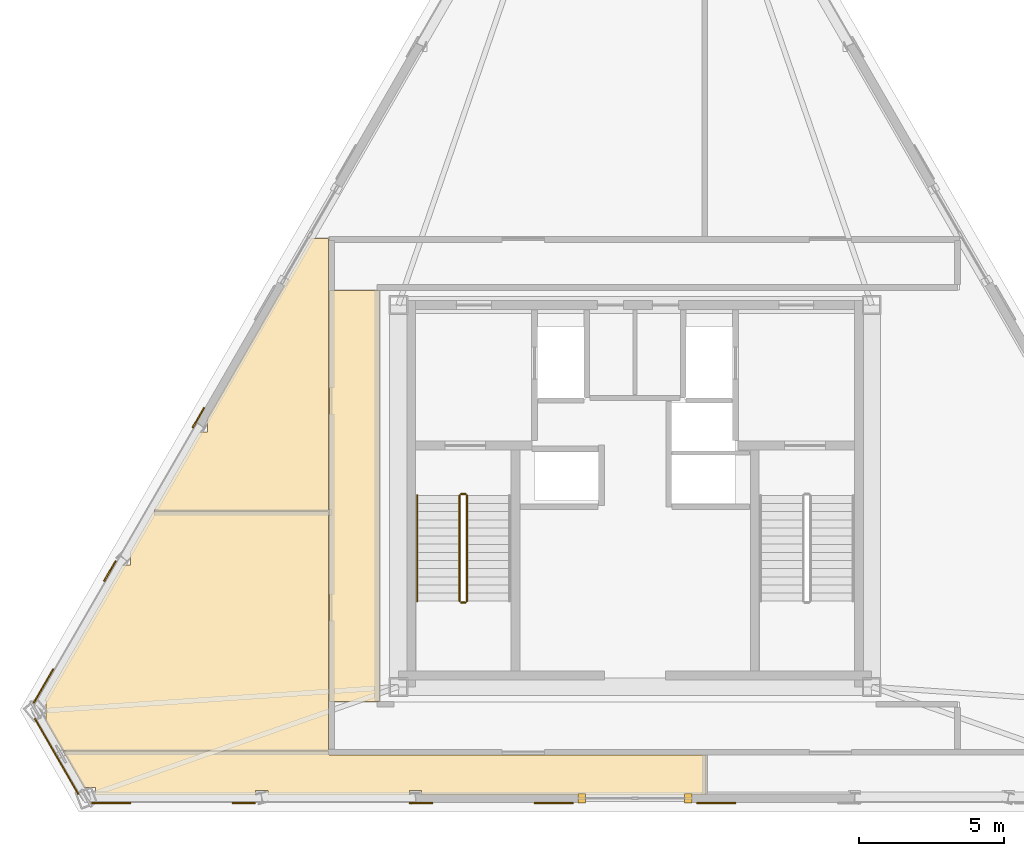
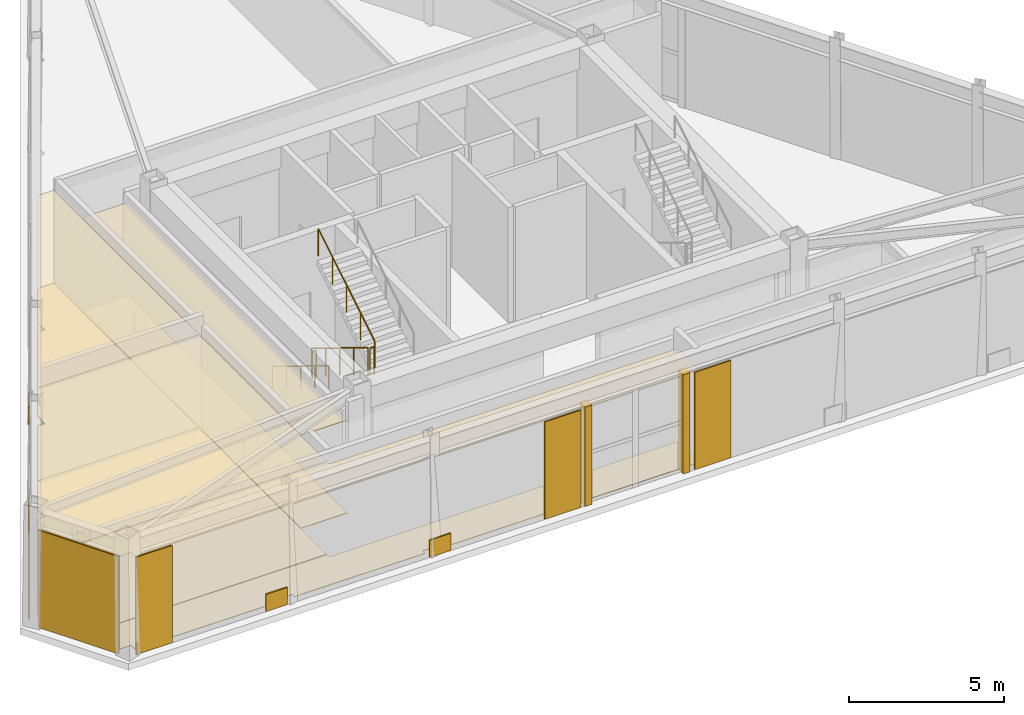
# One storey, part 10 of 12: 19 coverings, 5 railings.
"""IFC4 building model written with IfcOpenShell, lengths in metres."""

from ifc_helpers import new_model, si_unit, direction, frame, origin, origin_2d, place, context, subcontext, project, spatial, polyline, rectangle, circle, outline, extrude, material, layer, layer_set, type_object, element, save


model = new_model("IFC4")

# Units and contexts
model_context = context("Model", 3, precision=1e-05, world=origin(), true_north=direction((0.0, 1.0)))
body_context = subcontext(model_context, "Body", "Model", "MODEL_VIEW")
ifc_project = project(units=[si_unit("LENGTHUNIT", "METRE"), si_unit("AREAUNIT", "SQUARE_METRE"), si_unit("VOLUMEUNIT", "CUBIC_METRE"), si_unit("PLANEANGLEUNIT", "RADIAN"), si_unit("MASSUNIT", "GRAM", prefix="KILO")], contexts=[model_context])

# Site, building, storey
site_placement = place(None, origin())
site = spatial("IfcSite", under=ifc_project, at=site_placement, CompositionType="ELEMENT")
building_placement = place(site_placement, origin())
building = spatial("IfcBuilding", under=site, at=building_placement, Name="Oramaril Tower", CompositionType="ELEMENT")
storey_placement = place(building_placement, frame((0.0, 0.0, 314.10009765625)))
storey = spatial("IfcBuildingStorey", under=building, at=storey_placement, Name="L82", CompositionType="ELEMENT", Elevation=314.10009765625)

# Coverings
ifc_material_1 = material(Name="Mineral Fibre Acoustic Ceiling")
ifc_layer_1 = layer(ifc_material_1, 0.02001953125)
ifc_layer_set_1 = layer_set([ifc_layer_1], Name="CVT-CEIL")
covering_type_1 = type_object("IfcCoveringType", Name="CVT-CEIL", PredefinedType="CEILING", material=ifc_layer_set_1)
covering_1_placement = place(storey_placement, frame((0.0, 0.0, 3.671875)))
element("IfcCovering", 1, at=covering_1_placement, inside=storey, type_object=covering_type_1, Name="L82 Acoustic Suspended Ceiling 3", PredefinedType="CEILING", context=body_context, shape_type="SweptSolid", body=[
    extrude(outline(polyline([(28.699951171875, 10.5), (26.969970703125, 10.5), (26.969970703125, 24.64990234375), (28.699951171875, 24.64990234375), (28.699951171875, 10.5)])), origin(), (0.0, 0.0, 1.0), 0.02001953125),
])
covering_2_placement = place(storey_placement, frame((0.0, 0.0, 3.671875)))
element("IfcCovering", 2, at=covering_2_placement, inside=storey, type_object=covering_type_1, Name="L82 Acoustic Suspended Ceiling 4", PredefinedType="CEILING", context=body_context, shape_type="SweptSolid", body=[
    extrude(outline(polyline([(39.94189453125, 7.272216796875), (30.1494140625, 7.272216796875), (30.1494140625, 7.425537109375), (29.72802734375, 7.425537109375), (29.72802734375, 7.272216796875), (24.859619140625, 7.272216796875), (24.859619140625, 7.425537109375), (24.432373046875, 7.425537109375), (24.432373046875, 7.272216796875), (18.927490234375, 7.272216796875), (18.927490234375, 7.5390625), (18.515625, 7.5390625), (17.792236328125, 8.7919921875), (26.949951171875, 8.7919921875), (26.949951171875, 8.669921875), (26.9501953125, 8.66796875), (26.950439453125, 8.666015625), (26.950927734375, 8.664306640625), (26.951416015625, 8.662353515625), (26.952392578125, 8.66064453125), (26.953369140625, 8.658935546875), (26.95458984375, 8.6572265625), (26.955810546875, 8.656005859375), (26.957275390625, 8.654541015625), (26.958984375, 8.6533203125), (26.960693359375, 8.65234375), (26.96240234375, 8.651611328125), (26.964111328125, 8.65087890625), (26.966064453125, 8.650390625), (26.968017578125, 8.650146484375), (26.969970703125, 8.64990234375), (39.94189453125, 8.64990234375), (39.94189453125, 7.272216796875)])), origin(), (0.0, 0.0, 1.0), 0.02001953125),
])
covering_3_placement = place(storey_placement, frame((0.0, 0.0, 3.671875)))
element("IfcCovering", 3, at=covering_3_placement, inside=storey, type_object=covering_type_1, Name="L82 Acoustic Suspended Ceiling 6", PredefinedType="CEILING", context=body_context, shape_type="SweptSolid", body=[
    extrude(outline(polyline([(17.186767578125, 9.841064453125), (17.2080078125, 9.841064453125), (17.2080078125, 10.5263671875), (17.16064453125, 10.5263671875), (19.856689453125, 15.19580078125), (20.12060546875, 15.19580078125), (20.12060546875, 15.6484375), (20.117919921875, 15.6484375), (20.92236328125, 17.0419921875), (26.949951171875, 17.0419921875), (26.949951171875, 10.5), (26.9501953125, 10.498046875), (26.950439453125, 10.49609375), (26.950927734375, 10.494140625), (26.951416015625, 10.4921875), (26.952392578125, 10.490478515625), (26.95263671875, 10.489990234375), (26.952392578125, 10.489501953125), (26.951416015625, 10.48779296875), (26.950927734375, 10.48583984375), (26.950439453125, 10.48388671875), (26.9501953125, 10.48193359375), (26.949951171875, 10.47998046875), (26.949951171875, 8.81201171875), (17.792236328125, 8.81201171875), (17.790283203125, 8.81201171875), (17.788330078125, 8.8115234375), (17.786376953125, 8.81103515625), (17.78466796875, 8.810302734375), (17.78271484375, 8.8095703125), (17.7822265625, 8.809326171875), (17.186767578125, 9.841064453125)])), origin(), (0.0, 0.0, 1.0), 0.02001953125),
])
covering_4_placement = place(storey_placement, frame((0.0, 0.0, 3.671875)))
element("IfcCovering", 4, at=covering_4_placement, inside=storey, type_object=covering_type_1, Name="L82 Acoustic Suspended Ceiling 7", PredefinedType="CEILING", context=body_context, shape_type="SweptSolid", body=[
    extrude(outline(polyline([(22.50439453125, 19.7822265625), (22.7685546875, 19.7822265625), (22.7685546875, 20.229736328125), (22.7626953125, 20.229736328125), (26.349365234375, 26.44189453125), (26.949951171875, 26.44189453125), (26.949951171875, 24.669921875), (26.9501953125, 24.66796875), (26.950439453125, 24.666015625), (26.950927734375, 24.664306640625), (26.951416015625, 24.662353515625), (26.952392578125, 24.66064453125), (26.95263671875, 24.659912109375), (26.952392578125, 24.659423828125), (26.951416015625, 24.65771484375), (26.950927734375, 24.65576171875), (26.950439453125, 24.65380859375), (26.9501953125, 24.652099609375), (26.949951171875, 24.64990234375), (26.949951171875, 17.06201171875), (20.933837890625, 17.06201171875), (22.50439453125, 19.7822265625)])), origin(), (0.0, 0.0, 1.0), 0.02001953125),
])
ifc_material_2 = material(Name="Warm Cream Limestone", Category="masonry")
ifc_layer_2 = layer(ifc_material_2, 0.050048828125)
ifc_layer_set_2 = layer_set([ifc_layer_2], Name="CVT-CLD")
covering_type_2 = type_object("IfcCoveringType", Name="CVT-CLD", PredefinedType="CLADDING", material=ifc_layer_set_2)
covering_5_placement = place(storey_placement, frame((17.583740234375, 8.601318359375, 0.0400390625), z_axis=(0.0, 0.0, 1.0), x_axis=(0.5, -0.866025403784, 0.0)))
element("IfcCovering", 5, at=covering_5_placement, inside=storey, type_object=covering_type_2, Name="L82 Warm Cream Limestone Cladding", PredefinedType="CLADDING", context=body_context, shape_type="SweptSolid", body=[
    extrude(rectangle(XDim=3.0126953125, YDim=0.050048828125, at=origin_2d()), origin(), (0.0, 0.0, 1.0), 3.837890625),
])
for number, where, z_axis, x_axis, name in (
    (6, (35.669921875, 7.164306640625, 0.0), (0.0, 0.0, 1.0), (1.0, 0.0, 0.0), "L82 Curtain Wall Limestone Jamb Closure"),
    (7, (39.330078125, 7.164306640625, 0.0), (0.0, 0.0, 1.0), (1.0, 0.0, 0.0), "L82 Curtain Wall Limestone Jamb Closure"),
):
    element("IfcCovering", number, at=place(storey_placement, frame(where, z_axis=z_axis, x_axis=x_axis)), inside=storey, type_object=covering_type_2, Name=name, PredefinedType="CLADDING", context=body_context, shape_type="SweptSolid", body=[
        extrude(rectangle(XDim=0.260009765625, YDim=0.340087890625, at=origin_2d()), origin(), (0.0, 0.0, 1.0), 3.91796875),
    ])
for number, where, z_axis, x_axis, name in (
    (8, (19.45751953125, 6.996337890625, 0.0400390625), (0.0, 0.0, 1.0), (1.0, 0.0, 0.0), "L82 Warm Cream Limestone Cladding"),
    (9, (34.699951171875, 6.996337890625, 0.0400390625), (0.0, 0.0, 1.0), (1.0, 0.0, 0.0), "L82 Warm Cream Limestone Cladding"),
):
    element("IfcCovering", number, at=place(storey_placement, frame(where, z_axis=z_axis, x_axis=x_axis)), inside=storey, type_object=covering_type_2, Name=name, PredefinedType="CLADDING", context=body_context, shape_type="SweptSolid", body=[
        extrude(rectangle(XDim=1.35009765625, YDim=0.050048828125, at=origin_2d()), origin(), (0.0, 0.0, 1.0), 3.837890625),
    ])
for number, where, z_axis, x_axis, name in (
    (10, (24.029052734375, 6.996337890625, 0.0400390625), (0.0, 0.0, 1.0), (1.0, 0.0, 0.0), "L82 Warm Cream Limestone Spandrel Cladding"),
    (11, (30.12841796875, 6.996337890625, 0.0400390625), (0.0, 0.0, 1.0), (1.0, 0.0, 0.0), "L82 Warm Cream Limestone Spandrel Cladding"),
):
    element("IfcCovering", number, at=place(storey_placement, frame(where, z_axis=z_axis, x_axis=x_axis)), inside=storey, type_object=covering_type_2, Name=name, PredefinedType="CLADDING", context=body_context, shape_type="SweptSolid", body=[
        extrude(rectangle(XDim=0.800048828125, YDim=0.050048828125, at=origin_2d()), origin(), (0.0, 0.0, 1.0), 0.679931640625),
    ])
for number, where, z_axis, x_axis, name in (
    (12, (40.300048828125, 6.996337890625, 0.0400390625), (0.0, 0.0, 1.0), (1.0, 0.0, 0.0), "L82 Warm Cream Limestone Cladding"),
    (13, (17.130615234375, 11.0263671875, 0.0400390625), (0.0, 0.0, 1.0), (-0.4999984885, -0.866026276448, 0.0), "L82 Warm Cream Limestone Cladding"),
):
    element("IfcCovering", number, at=place(storey_placement, frame(where, z_axis=z_axis, x_axis=x_axis)), inside=storey, type_object=covering_type_2, Name=name, PredefinedType="CLADDING", context=body_context, shape_type="SweptSolid", body=[
        extrude(rectangle(XDim=1.35009765625, YDim=0.050048828125, at=origin_2d()), origin(), (0.0, 0.0, 1.0), 3.837890625),
    ])
for number, where, z_axis, x_axis, name in (
    (14, (22.466064453125, 20.267822265625, 0.0400390625), (0.0, 0.0, 1.0), (-0.4999984885, -0.866026276448, 0.0), "L82 Warm Cream Limestone Spandrel Cladding"),
    (15, (19.41650390625, 14.985595703125, 0.0400390625), (0.0, 0.0, 1.0), (-0.4999984885, -0.866026276448, 0.0), "L82 Warm Cream Limestone Spandrel Cladding"),
):
    element("IfcCovering", number, at=place(storey_placement, frame(where, z_axis=z_axis, x_axis=x_axis)), inside=storey, type_object=covering_type_2, Name=name, PredefinedType="CLADDING", context=body_context, shape_type="SweptSolid", body=[
        extrude(rectangle(XDim=0.800048828125, YDim=0.050048828125, at=origin_2d()), origin(), (0.0, 0.0, 1.0), 0.679931640625),
    ])
ifc_material_3 = material(Name="Honed Quartzite Stone Flooring", Category="masonry")
ifc_layer_3 = layer(ifc_material_3, 0.02490234375)
ifc_layer_set_3 = layer_set([ifc_layer_3], Name="CVT-FLR")
covering_type_3 = type_object("IfcCoveringType", Name="CVT-FLR", PredefinedType="FLOORING", material=ifc_layer_set_3)
covering_6_placement = place(storey_placement, origin())
element("IfcCovering", 16, at=covering_6_placement, inside=storey, type_object=covering_type_3, Name="L82 Honed Stone Floor Finish 3", PredefinedType="FLOORING", context=body_context, shape_type="SweptSolid", body=[
    extrude(outline(polyline([(28.699951171875, 10.5), (26.969970703125, 10.5), (26.969970703125, 24.64990234375), (28.699951171875, 24.64990234375), (28.699951171875, 10.5)])), origin(), (0.0, 0.0, 1.0), 0.02490234375),
])
covering_7_placement = place(storey_placement, origin())
element("IfcCovering", 17, at=covering_7_placement, inside=storey, type_object=covering_type_3, Name="L82 Honed Stone Floor Finish 4", PredefinedType="FLOORING", context=body_context, shape_type="SweptSolid", body=[
    extrude(outline(polyline([(39.94189453125, 7.272216796875), (30.1494140625, 7.272216796875), (30.1494140625, 7.425537109375), (29.72802734375, 7.425537109375), (29.72802734375, 7.272216796875), (24.859619140625, 7.272216796875), (24.859619140625, 7.425537109375), (24.432373046875, 7.425537109375), (24.432373046875, 7.272216796875), (18.927490234375, 7.272216796875), (18.927490234375, 7.5390625), (18.515625, 7.5390625), (17.792236328125, 8.7919921875), (26.949951171875, 8.7919921875), (26.949951171875, 8.669921875), (26.9501953125, 8.66796875), (26.950439453125, 8.666015625), (26.950927734375, 8.664306640625), (26.951416015625, 8.662353515625), (26.952392578125, 8.66064453125), (26.953369140625, 8.658935546875), (26.95458984375, 8.6572265625), (26.955810546875, 8.656005859375), (26.957275390625, 8.654541015625), (26.958984375, 8.6533203125), (26.960693359375, 8.65234375), (26.96240234375, 8.651611328125), (26.964111328125, 8.65087890625), (26.966064453125, 8.650390625), (26.968017578125, 8.650146484375), (26.969970703125, 8.64990234375), (39.94189453125, 8.64990234375), (39.94189453125, 7.272216796875)])), origin(), (0.0, 0.0, 1.0), 0.02490234375),
])
covering_8_placement = place(storey_placement, origin())
element("IfcCovering", 18, at=covering_8_placement, inside=storey, type_object=covering_type_3, Name="L82 Honed Stone Floor Finish 6", PredefinedType="FLOORING", context=body_context, shape_type="SweptSolid", body=[
    extrude(outline(polyline([(17.186767578125, 9.841064453125), (17.2080078125, 9.841064453125), (17.2080078125, 10.5263671875), (17.16064453125, 10.5263671875), (19.856689453125, 15.19580078125), (20.12060546875, 15.19580078125), (20.12060546875, 15.6484375), (20.117919921875, 15.6484375), (20.92236328125, 17.0419921875), (26.949951171875, 17.0419921875), (26.949951171875, 10.5), (26.9501953125, 10.498046875), (26.950439453125, 10.49609375), (26.950927734375, 10.494140625), (26.951416015625, 10.4921875), (26.952392578125, 10.490478515625), (26.95263671875, 10.489990234375), (26.952392578125, 10.489501953125), (26.951416015625, 10.48779296875), (26.950927734375, 10.48583984375), (26.950439453125, 10.48388671875), (26.9501953125, 10.48193359375), (26.949951171875, 10.47998046875), (26.949951171875, 8.81201171875), (17.792236328125, 8.81201171875), (17.790283203125, 8.81201171875), (17.788330078125, 8.8115234375), (17.786376953125, 8.81103515625), (17.78466796875, 8.810302734375), (17.78271484375, 8.8095703125), (17.7822265625, 8.809326171875), (17.186767578125, 9.841064453125)])), origin(), (0.0, 0.0, 1.0), 0.02490234375),
])
covering_9_placement = place(storey_placement, origin())
element("IfcCovering", 19, at=covering_9_placement, inside=storey, type_object=covering_type_3, Name="L82 Honed Stone Floor Finish 7", PredefinedType="FLOORING", context=body_context, shape_type="SweptSolid", body=[
    extrude(outline(polyline([(22.50439453125, 19.7822265625), (22.7685546875, 19.7822265625), (22.7685546875, 20.229736328125), (22.7626953125, 20.229736328125), (26.349365234375, 26.44189453125), (26.949951171875, 26.44189453125), (26.949951171875, 24.669921875), (26.9501953125, 24.66796875), (26.950439453125, 24.666015625), (26.950927734375, 24.664306640625), (26.951416015625, 24.662353515625), (26.952392578125, 24.66064453125), (26.95263671875, 24.659912109375), (26.952392578125, 24.659423828125), (26.951416015625, 24.65771484375), (26.950927734375, 24.65576171875), (26.950439453125, 24.65380859375), (26.9501953125, 24.652099609375), (26.949951171875, 24.64990234375), (26.949951171875, 17.06201171875), (20.933837890625, 17.06201171875), (22.50439453125, 19.7822265625)])), origin(), (0.0, 0.0, 1.0), 0.02490234375),
])

# Railings
ifc_material_4 = material(Name="Stainless Steel 316L", Category="steel")
railing_type_1 = type_object("IfcRailingType", Name="RLT-GRD", PredefinedType="GUARDRAIL", material=ifc_material_4)
railing_1_placement = place(storey_placement, frame((31.4599609375, 17.590087890625, 0.17138671875)))
element("IfcRailing", 20, at=railing_1_placement, inside=storey, type_object=railing_type_1, Name="L82 ST-1 stair guard 1", PredefinedType="GUARDRAIL", context=body_context, shape_type="SweptSolid", body=[
    extrude(circle(Radius=0.02392578125, at=origin_2d()), frame((0.0, 0.0, 1.076171875), z_axis=(0.0, -0.852865859571, 0.52213008492), x_axis=(1.0, 0.0, 0.0)), (0.0, 0.0, 1.0), 4.26806640625),
    extrude(circle(Radius=0.02099609375, at=origin_2d()), origin(), (0.0, 0.0, 1.0), 1.052001953125),
    extrude(circle(Radius=0.02099609375, at=origin_2d()), frame((0.0, -0.91015625, 0.55712890625)), (0.0, 0.0, 1.0), 1.052001953125),
    extrude(circle(Radius=0.02099609375, at=origin_2d()), frame((0.0, -1.820068359375, 1.1142578125)), (0.0, 0.0, 1.0), 1.052001953125),
    extrude(circle(Radius=0.02099609375, at=origin_2d()), frame((0.0, -2.72998046875, 1.67138671875)), (0.0, 0.0, 1.0), 1.052001953125),
    extrude(circle(Radius=0.02099609375, at=origin_2d()), frame((0.0, -3.64013671875, 2.228515625)), (0.0, 0.0, 1.0), 1.052001953125),
])
railing_2_placement = place(storey_placement, frame((31.510009765625, 13.89990234375, 2.39990234375)))
element("IfcRailing", 21, at=railing_2_placement, inside=storey, type_object=railing_type_1, Name="L82 ST-1 stair guard 2", PredefinedType="GUARDRAIL", context=body_context, shape_type="SweptSolid", body=[
    extrude(circle(Radius=0.02392578125, at=origin_2d()), frame((0.0, 0.0, 1.076171875), z_axis=(1.0, 0.0, 0.0), x_axis=(0.0, 1.0, 0.0)), (0.0, 0.0, 1.0), 0.14990234375),
    extrude(circle(Radius=0.02099609375, at=origin_2d()), origin(), (0.0, 0.0, 1.0), 1.052001953125),
    extrude(circle(Radius=0.02099609375, at=origin_2d()), frame((0.14990234375, 0.0, 0.0)), (0.0, 0.0, 1.0), 1.052001953125),
])
railing_3_placement = place(storey_placement, frame((31.7099609375, 13.949951171875, 2.5712890625)))
element("IfcRailing", 22, at=railing_3_placement, inside=storey, type_object=railing_type_1, Name="L82 ST-1 stair guard 3", PredefinedType="GUARDRAIL", context=body_context, shape_type="SweptSolid", body=[
    extrude(circle(Radius=0.02392578125, at=origin_2d()), frame((0.0, 0.0, 1.076171875), z_axis=(0.0, 0.852865859571, 0.52213008492), x_axis=(-1.0, 0.0, 0.0)), (0.0, 0.0, 1.0), 4.26806640625),
    extrude(circle(Radius=0.02099609375, at=origin_2d()), origin(), (0.0, 0.0, 1.0), 1.052001953125),
    extrude(circle(Radius=0.02099609375, at=origin_2d()), frame((0.0, 0.91015625, 0.55712890625)), (0.0, 0.0, 1.0), 1.052001953125),
    extrude(circle(Radius=0.02099609375, at=origin_2d()), frame((0.0, 1.820068359375, 1.1142578125)), (0.0, 0.0, 1.0), 1.052001953125),
    extrude(circle(Radius=0.02099609375, at=origin_2d()), frame((0.0, 2.72998046875, 1.67138671875)), (0.0, 0.0, 1.0), 1.052001953125),
    extrude(circle(Radius=0.02099609375, at=origin_2d()), frame((0.0, 3.64013671875, 2.228515625)), (0.0, 0.0, 1.0), 1.052001953125),
])
railing_4_placement = place(storey_placement, frame((31.510009765625, 17.639892578125, 0.0)))
element("IfcRailing", 23, at=railing_4_placement, inside=storey, type_object=railing_type_1, Name="L82 ST-1 stair guard 4", PredefinedType="GUARDRAIL", context=body_context, shape_type="SweptSolid", body=[
    extrude(circle(Radius=0.02392578125, at=origin_2d()), frame((0.0, 0.0, 1.076171875), z_axis=(1.0, 0.0, 0.0), x_axis=(0.0, 1.0, 0.0)), (0.0, 0.0, 1.0), 0.14990234375),
    extrude(circle(Radius=0.02099609375, at=origin_2d()), origin(), (0.0, 0.0, 1.0), 1.052001953125),
    extrude(circle(Radius=0.02099609375, at=origin_2d()), frame((0.14990234375, 0.0, 0.0)), (0.0, 0.0, 1.0), 1.052001953125),
])
ifc_material_5 = material(Name="Stainless Steel 316L", Category="steel")
railing_type_2 = type_object("IfcRailingType", Name="RLT-HND", PredefinedType="HANDRAIL", material=ifc_material_5)
railing_5_placement = place(storey_placement, frame((30.0, 17.590087890625, 0.17138671875)))
element("IfcRailing", 24, at=railing_5_placement, inside=storey, type_object=railing_type_2, Name="L82 ST-1 stair handrail 1", PredefinedType="HANDRAIL", context=body_context, shape_type="SweptSolid", body=[
    extrude(circle(Radius=0.02392578125, at=origin_2d()), frame((0.0, 0.0, 0.8759765625), z_axis=(0.0, -0.852865859571, 0.52213008492), x_axis=(1.0, 0.0, 0.0)), (0.0, 0.0, 1.0), 4.26806640625),
    extrude(circle(Radius=0.02099609375, at=origin_2d()), origin(), (0.0, 0.0, 1.0), 0.851806640625),
    extrude(circle(Radius=0.02099609375, at=origin_2d()), frame((0.0, -0.91015625, 0.55712890625)), (0.0, 0.0, 1.0), 0.851806640625),
    extrude(circle(Radius=0.02099609375, at=origin_2d()), frame((0.0, -1.820068359375, 1.1142578125)), (0.0, 0.0, 1.0), 0.851806640625),
    extrude(circle(Radius=0.02099609375, at=origin_2d()), frame((0.0, -2.72998046875, 1.67138671875)), (0.0, 0.0, 1.0), 0.851806640625),
    extrude(circle(Radius=0.02099609375, at=origin_2d()), frame((0.0, -3.64013671875, 2.228515625)), (0.0, 0.0, 1.0), 0.851806640625),
])

save(model, "model.ifc")
